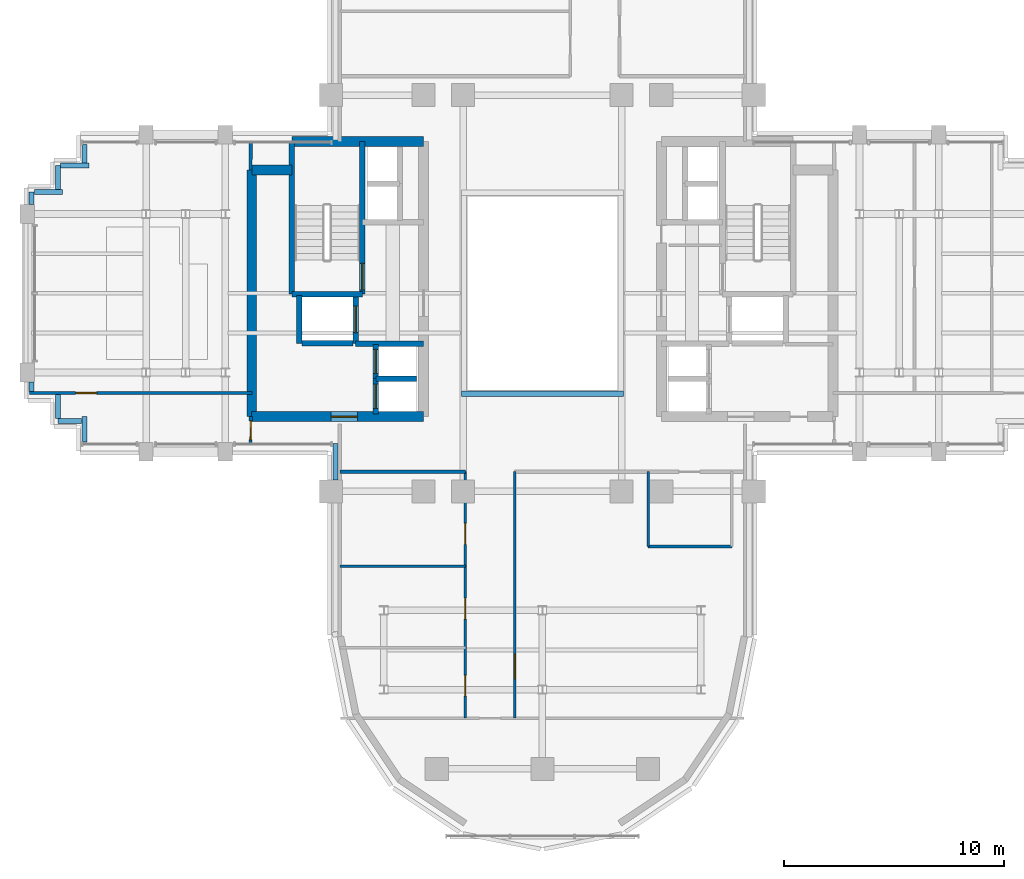
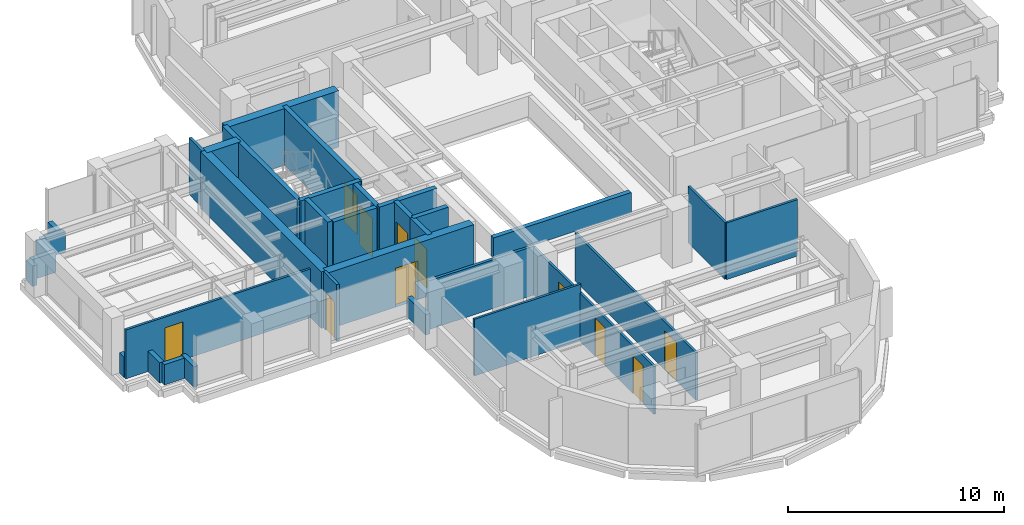
# One storey, part 8 of 13: 34 walls, 11 doors, 11 openings.
"""IFC4 building model written with IfcOpenShell, lengths in metres."""

import ifcopenshell
import ifcopenshell.guid

model = None  # the IFC model being written
_history = None  # IfcOwnerHistory: only IFC2X3 demands one
_inside = {}  # id of a spatial element -> (the spatial element, [elements in it])
_under = {}  # id of a project, library or spatial element -> (it, [spatial elements below it])
_declared = {}  # id of a project -> (the project, [libraries it declares])
_typed = {}  # id of a type object -> (the type object, [elements of that type])
_made_of = {}  # id of a material, layer set ... -> (it, [elements and type objects made of it])


def new_model(schema):
    """Start an empty IFC model of exactly this schema.

    Asked for "IFC4X3", IfcOpenShell would pick the latest addendum, in which some entities
    have other attributes; the version numbers below select the first issue.
    IFC2X3 requires an IfcOwnerHistory on every rooted entity: one is made here for all.
    """
    global model, _history
    if schema == "IFC4X3":
        model = ifcopenshell.file(schema_version=(4, 3, 0, 0))
    else:
        model = ifcopenshell.file(schema=schema)
    _inside.clear()
    _under.clear()
    _declared.clear()
    _typed.clear()
    _made_of.clear()
    _history = None
    if model.schema == "IFC2X3":
        org = make("IfcOrganization", Name="unknown")
        user = make(
            "IfcPersonAndOrganization",
            ThePerson=make("IfcPerson", FamilyName="unknown"),
            TheOrganization=org,
        )
        app = make(
            "IfcApplication",
            ApplicationDeveloper=org,
            Version="unknown",
            ApplicationFullName="unknown",
            ApplicationIdentifier="unknown",
        )
        _history = make(
            "IfcOwnerHistory",
            OwningUser=user,
            OwningApplication=app,
            ChangeAction="ADDED",
            CreationDate=0,
        )
    return model


def make(cls, **values):
    """One entity of the class cls with the attributes given. An attribute that is None is left unset."""
    return model.create_entity(
        cls, **{name: value for name, value in values.items() if value is not None}
    )


def rooted(cls, **values):
    """An entity with a GlobalId (a new one), such as an element, a storey or a relation."""
    return make(cls, GlobalId=ifcopenshell.guid.new(), OwnerHistory=_history, **values)


def si_unit(unit_type, name, prefix=None):
    """IfcSIUnit, for example si_unit("LENGTHUNIT", "METRE", prefix="MILLI")."""
    return make("IfcSIUnit", UnitType=unit_type, Prefix=prefix, Name=name)


def assignment(units):
    """IfcUnitAssignment: the units of a project."""
    return None if units is None else make("IfcUnitAssignment", Units=units)


def point(xyz):
    """IfcCartesianPoint."""
    return None if xyz is None else make("IfcCartesianPoint", Coordinates=xyz)


def direction(xyz):
    """IfcDirection."""
    return None if xyz is None else make("IfcDirection", DirectionRatios=xyz)


def frame(location, z_axis=None, x_axis=None):
    """IfcAxis2Placement3D, a coordinate frame: its origin and axes. An axis left out is left unset."""
    return make(
        "IfcAxis2Placement3D",
        Location=point(location),
        Axis=direction(z_axis),
        RefDirection=direction(x_axis),
    )


def frame_2d(location, x_axis=None):
    """IfcAxis2Placement2D, a coordinate frame in the plane: its origin and x axis."""
    return make(
        "IfcAxis2Placement2D", Location=point(location), RefDirection=direction(x_axis)
    )


def origin():
    """The frame at (0, 0, 0) with its axes left unset."""
    return frame((0.0, 0.0, 0.0))


def place(relative_to, where):
    """IfcLocalPlacement: puts the frame where relative to a parent placement (None: the world)."""
    return make(
        "IfcLocalPlacement", PlacementRelTo=relative_to, RelativePlacement=where
    )


def context(
    kind, dimensions, precision=None, world=None, true_north=None, identifier=None
):
    """IfcGeometricRepresentationContext, for example the 3D "Model" context."""
    return make(
        "IfcGeometricRepresentationContext",
        ContextIdentifier=identifier,
        ContextType=kind,
        CoordinateSpaceDimension=dimensions,
        Precision=precision,
        WorldCoordinateSystem=world,
        TrueNorth=true_north,
    )


def subcontext(parent, identifier, kind, view, scale=None):
    """IfcGeometricRepresentationSubContext, for example "Body" below "Model"."""
    return make(
        "IfcGeometricRepresentationSubContext",
        ContextIdentifier=identifier,
        ContextType=kind,
        ParentContext=parent,
        TargetScale=scale,
        TargetView=view,
    )


def project(units=None, contexts=None):
    """IfcProject with its units and contexts."""
    return rooted(
        "IfcProject",
        Name="project",
        RepresentationContexts=contexts,
        UnitsInContext=assignment(units),
    )


def spatial(cls, under=None, at=None, **own):
    """A site, building, storey or space (cls), placed at a placement, below another one or the project."""
    s = rooted(cls, ObjectPlacement=at, **own)
    if under is not None:
        _under.setdefault(under.id(), (under, []))[1].append(s)
    return s


def profile(cls, at=None, kind="AREA", **sizes):
    """A parametric profile (cls). Its sizes go by their IFC names, for example OverallWidth=200.0."""
    return make(cls, ProfileType=kind, Position=at, **sizes)


def rectangle(**sizes):
    """IfcRectangleProfileDef."""
    return profile("IfcRectangleProfileDef", **sizes)


def extrude(swept, where, along, depth):
    """IfcExtrudedAreaSolid: the profile swept, set in the frame where, extruded along a direction by depth."""
    return make(
        "IfcExtrudedAreaSolid",
        SweptArea=swept,
        Position=where,
        ExtrudedDirection=direction(along),
        Depth=depth,
    )


def shape(context_of_items, identifier, shape_type, items):
    """IfcShapeRepresentation: the items that make up one representation, for example the "Body"."""
    return make(
        "IfcShapeRepresentation",
        ContextOfItems=context_of_items,
        RepresentationIdentifier=identifier,
        RepresentationType=shape_type,
        Items=items,
    )


def source(mapping_origin, context_of_items, identifier, shape_type, items):
    """IfcRepresentationMap: a shape defined once, which mapped items show again and again."""
    return make(
        "IfcRepresentationMap",
        MappingOrigin=mapping_origin,
        MappedRepresentation=shape(context_of_items, identifier, shape_type, items),
    )


def transform(
    local_origin,
    x_axis=None,
    y_axis=None,
    z_axis=None,
    scale=None,
    scale2=None,
    scale3=None,
    uniform=True,
):
    """IfcCartesianTransformationOperator3D, or its non-uniform kind. x_axis, y_axis, z_axis: its Axis1, 2, 3."""
    if uniform:
        return make(
            "IfcCartesianTransformationOperator3D",
            Axis1=direction(x_axis),
            Axis2=direction(y_axis),
            LocalOrigin=point(local_origin),
            Scale=scale,
            Axis3=direction(z_axis),
        )
    return make(
        "IfcCartesianTransformationOperator3DnonUniform",
        Axis1=direction(x_axis),
        Axis2=direction(y_axis),
        LocalOrigin=point(local_origin),
        Scale=scale,
        Axis3=direction(z_axis),
        Scale2=scale2,
        Scale3=scale3,
    )


def mapped(mapping_source, mapping_target):
    """IfcMappedItem: shows the shape of a source again, moved by a transform."""
    return make(
        "IfcMappedItem", MappingSource=mapping_source, MappingTarget=mapping_target
    )


def material(Name=None, Category=None):
    """IfcMaterial."""
    return make("IfcMaterial", Name=Name, Category=Category)


def layer(
    of_material, thickness, ventilated=None, Name=None, Category=None, Priority=None
):
    """IfcMaterialLayer: one layer of a wall or slab, of a material (None: an air gap)."""
    return make(
        "IfcMaterialLayer",
        Material=of_material,
        LayerThickness=thickness,
        IsVentilated=ventilated,
        Name=Name,
        Category=Category,
        Priority=Priority,
    )


def layer_set(layers, Name=None):
    """IfcMaterialLayerSet."""
    return make("IfcMaterialLayerSet", MaterialLayers=layers, LayerSetName=Name)


def made_of(thing, what):
    """Note that an element or type object is made of a material, layer set ...; save() writes the relation."""
    if what is not None:
        _made_of.setdefault(what.id(), (what, []))[1].append(thing)
    return thing


def type_object(cls, material=None, **own):
    """A type object (cls), such as IfcWallType, which elements share."""
    return made_of(rooted(cls, **own), material)


def element(
    cls,
    number,
    at=None,
    inside=None,
    cuts=None,
    type_object=None,
    material=None,
    context=None,
    identifier="Body",
    shape_type=None,
    held_by="IfcProductDefinitionShape",
    body=None,
    shapes=None,
    **own,
):
    """One element of the class cls, such as IfcWall. Its Tag is "e" and its number.

    at: its placement. inside: the storey or other place that contains it. cuts: it is an
    opening in that element (IfcRelVoidsElement). A single representation is given by context,
    identifier, shape_type and body (its items); several are given by shapes. held_by: the class
    of the entity that holds the representations. save() writes the other relations.
    """
    e = rooted(cls, Tag="e%d" % number, ObjectPlacement=at, **own)
    if body is not None:
        shapes = [shape(context, identifier, shape_type, body)]
    if shapes is not None:
        e.Representation = make(held_by, Representations=shapes)
    if inside is not None:
        _inside.setdefault(inside.id(), (inside, []))[1].append(e)
    if cuts is not None:
        rooted(
            "IfcRelVoidsElement", RelatingBuildingElement=cuts, RelatedOpeningElement=e
        )
    if type_object is not None:
        _typed.setdefault(type_object.id(), (type_object, []))[1].append(e)
    return made_of(e, material)


def fill(opening, filler):
    """IfcRelFillsElement: the door or window that sits in an opening."""
    return rooted(
        "IfcRelFillsElement",
        RelatingOpeningElement=opening,
        RelatedBuildingElement=filler,
    )


def aggregate(whole, parts):
    """IfcRelAggregates: a whole, such as a stair, and the parts it consists of."""
    return rooted("IfcRelAggregates", RelatingObject=whole, RelatedObjects=parts)


def save(model, path):
    """Write the relations noted so far, then the file.

    IfcRelAggregates (storeys below a building ...), IfcRelContainedInSpatialStructure (elements
    in a storey), IfcRelDefinesByType, IfcRelAssociatesMaterial and IfcRelDeclares: one each for
    every whole, place, type object, material and project.
    """
    for whole, parts in _under.values():
        aggregate(whole, parts)
    for where, things in _inside.values():
        rooted(
            "IfcRelContainedInSpatialStructure",
            RelatedElements=things,
            RelatingStructure=where,
        )
    for kind, things in _typed.values():
        rooted("IfcRelDefinesByType", RelatedObjects=things, RelatingType=kind)
    for what, things in _made_of.values():
        rooted("IfcRelAssociatesMaterial", RelatedObjects=things, RelatingMaterial=what)
    for by, libraries in _declared.values():
        rooted("IfcRelDeclares", RelatingContext=by, RelatedDefinitions=libraries)
    model.write(path)


model = new_model("IFC4")

# Units and contexts
model_context = context("Model", 3, precision=1e-05, world=origin(), true_north=direction((0.0, 1.0)))
body_context = subcontext(model_context, "Body", "Model", "MODEL_VIEW")
ifc_project = project(units=[si_unit("LENGTHUNIT", "METRE"), si_unit("AREAUNIT", "SQUARE_METRE"), si_unit("VOLUMEUNIT", "CUBIC_METRE"), si_unit("PLANEANGLEUNIT", "RADIAN"), si_unit("MASSUNIT", "GRAM", prefix="KILO")], contexts=[model_context])

# Site, building, storey
site_placement = place(None, origin())
site = spatial("IfcSite", under=ifc_project, at=site_placement, CompositionType="ELEMENT")
building_placement = place(site_placement, origin())
building = spatial("IfcBuilding", under=site, at=building_placement, Name="Keilestroom Media Tower", CompositionType="ELEMENT")
storey_placement = place(building_placement, frame((0.0, 0.0, 131.199951171875)))
storey = spatial("IfcBuildingStorey", under=building, at=storey_placement, Name="L35", CompositionType="ELEMENT", Elevation=131.199951171875)

# Wall, openings, doors
ifc_material_1 = material(Name="Gypsum Plasterboard & Steel Stud", Category="steel")
ifc_layer_1 = layer(ifc_material_1, 0.1201171875)
ifc_layer_set_1 = layer_set([ifc_layer_1], Name="Gypsum Plasterboard & Steel Stud")
wall_type_1 = type_object("IfcWallType", Name="Interior-Partition-Wall-120", PredefinedType="PARTITIONING", material=ifc_layer_set_1)
wall_1_placement = place(storey_placement, frame((-3.5, -19.300048828125, 0.0), z_axis=(0.0, 0.0, 1.0), x_axis=(0.0, 1.0, 0.0)))
wall_1 = element("IfcWall", 1, at=wall_1_placement, inside=storey, type_object=wall_type_1, Name="L35 Interior Wall WP-L35-SL-SPW", PredefinedType="PARTITIONING", context=body_context, shape_type="SweptSolid", body=[
    extrude(rectangle(XDim=11.199951171875, YDim=0.1201171875, at=frame_2d((5.60009765625, 0.0))), origin(), (0.0, 0.0, 1.0), 2.699951171875),
])
opening_1_placement = place(wall_1_placement, frame((7.89990234375, 0.0, 0.0)))
opening_1 = element("IfcOpeningElement", 2, at=opening_1_placement, cuts=wall_1, Name="Opening DI-03", PredefinedType="OPENING", context=body_context, shape_type="SweptSolid", body=[
    extrude(rectangle(XDim=0.949951171875, YDim=2.14990234375, at=frame_2d((0.47509765625, 1.074951171875))), frame((0.0, 0.070068359375, 0.0), z_axis=(0.0, -1.0, 0.0), x_axis=(1.0, 0.0, 0.0)), (0.0, 0.0, 1.0), 0.14013671875),
])
opening_2_placement = place(wall_1_placement, frame((4.5, 0.0, 0.0)))
opening_2 = element("IfcOpeningElement", 3, at=opening_2_placement, cuts=wall_1, Name="Opening DI-03", PredefinedType="OPENING", context=body_context, shape_type="SweptSolid", body=[
    extrude(rectangle(XDim=0.949951171875, YDim=2.14990234375, at=frame_2d((0.47509765625, 1.074951171875))), frame((0.0, 0.070068359375, 0.0), z_axis=(0.0, -1.0, 0.0), x_axis=(1.0, 0.0, 0.0)), (0.0, 0.0, 1.0), 0.14013671875),
])
opening_3_placement = place(wall_1_placement, frame((1.0, 0.0, 0.0)))
opening_3 = element("IfcOpeningElement", 4, at=opening_3_placement, cuts=wall_1, Name="Opening DI-03", PredefinedType="OPENING", context=body_context, shape_type="SweptSolid", body=[
    extrude(rectangle(XDim=0.949951171875, YDim=2.14990234375, at=frame_2d((0.47509765625, 1.074951171875))), frame((0.0, 0.070068359375, 0.0), z_axis=(0.0, -1.0, 0.0), x_axis=(1.0, 0.0, 0.0)), (0.0, 0.0, 1.0), 0.14013671875),
])
ifc_material_2 = material(Name="Lacquered European Oak Leaf", Category="wood")
door_type_1 = type_object("IfcDoorType", Name="Interior-Room-And-Suite-Door-DI-03", OperationType="NOTDEFINED", PredefinedType="DOOR", material=ifc_material_2)
shared_shape_1 = source(origin(), body_context, "Body", "SweptSolid", [
    extrude(rectangle(XDim=0.949951171875, YDim=2.14990234375, at=frame_2d((0.47509765625, 1.074951171875))), frame((0.0, 0.02490234375, 0.0), z_axis=(0.0, -1.0, 0.0), x_axis=(1.0, 0.0, 0.0)), (0.0, 0.0, 1.0), 0.050048828125),
])
door_1_placement = place(opening_1_placement, origin())
door_1 = element("IfcDoor", 5, at=door_1_placement, inside=storey, type_object=door_type_1, Name="L35 Interior Door DI-L35-DSL-W1", OperationType="SINGLE_SWING_LEFT", OverallHeight=2.14990234375, OverallWidth=0.949951171875, PredefinedType="DOOR", context=body_context, shape_type="MappedRepresentation", body=[
    mapped(shared_shape_1, transform((0.0, 0.0, 0.0), x_axis=(1.0, 0.0, 0.0), y_axis=(0.0, 1.0, 0.0), z_axis=(0.0, 0.0, 1.0), scale=1.0)),
])
fill(opening_1, door_1)
door_2_placement = place(opening_2_placement, origin())
door_2 = element("IfcDoor", 6, at=door_2_placement, inside=storey, type_object=door_type_1, Name="L35 Interior Door DI-L35-DSL-W2", OperationType="SINGLE_SWING_RIGHT", OverallHeight=2.14990234375, OverallWidth=0.949951171875, PredefinedType="DOOR", context=body_context, shape_type="MappedRepresentation", body=[
    mapped(shared_shape_1, transform((0.0, 0.0, 0.0), x_axis=(1.0, 0.0, 0.0), y_axis=(0.0, 1.0, 0.0), z_axis=(0.0, 0.0, 1.0), scale=1.0)),
])
fill(opening_2, door_2)
door_3_placement = place(opening_3_placement, origin())
door_3 = element("IfcDoor", 7, at=door_3_placement, inside=storey, type_object=door_type_1, Name="L35 Interior Door DI-L35-DSL-W3", OperationType="SINGLE_SWING_LEFT", OverallHeight=2.14990234375, OverallWidth=0.949951171875, PredefinedType="DOOR", context=body_context, shape_type="MappedRepresentation", body=[
    mapped(shared_shape_1, transform((0.0, 0.0, 0.0), x_axis=(1.0, 0.0, 0.0), y_axis=(0.0, 1.0, 0.0), z_axis=(0.0, 0.0, 1.0), scale=1.0)),
])
fill(opening_3, door_3)

# Wall, opening, door
wall_2_placement = place(storey_placement, frame((-1.260009765625, -19.300048828125, 0.0), z_axis=(0.0, 0.0, 1.0), x_axis=(0.0, 1.0, 0.0)))
wall_2 = element("IfcWall", 8, at=wall_2_placement, inside=storey, type_object=wall_type_1, Name="L35 Interior Wall WP-L35-SL-SPE", PredefinedType="PARTITIONING", context=body_context, shape_type="SweptSolid", body=[
    extrude(rectangle(XDim=11.199951171875, YDim=0.1201171875, at=frame_2d((5.60009765625, 0.0))), origin(), (0.0, 0.0, 1.0), 2.699951171875),
])
opening_4_placement = place(wall_2_placement, frame((1.800048828125, 0.0, 0.0)))
opening_4 = element("IfcOpeningElement", 9, at=opening_4_placement, cuts=wall_2, Name="Opening DI-04", PredefinedType="OPENING", context=body_context, shape_type="SweptSolid", body=[
    extrude(rectangle(XDim=1.10009765625, YDim=2.199951171875, at=frame_2d((0.550048828125, 1.10009765625))), frame((0.0, 0.070068359375, 0.0), z_axis=(0.0, -1.0, 0.0), x_axis=(1.0, 0.0, 0.0)), (0.0, 0.0, 1.0), 0.14013671875),
])
ifc_material_3 = material(Name="Acoustic Glazed Aluminium Leaf", Category="aluminium")
door_type_2 = type_object("IfcDoorType", Name="Interior-Room-And-Suite-Door-DI-04", OperationType="NOTDEFINED", PredefinedType="DOOR", material=ifc_material_3)
shared_shape_2 = source(origin(), body_context, "Body", "SweptSolid", [
    extrude(rectangle(XDim=1.10009765625, YDim=2.199951171875, at=frame_2d((0.550048828125, 1.10009765625))), frame((0.0, 0.02490234375, 0.0), z_axis=(0.0, -1.0, 0.0), x_axis=(1.0, 0.0, 0.0)), (0.0, 0.0, 1.0), 0.050048828125),
])
door_4_placement = place(opening_4_placement, origin())
door_4 = element("IfcDoor", 10, at=door_4_placement, inside=storey, type_object=door_type_2, Name="L35 Interior Door DI-L35-DSL-E1", OperationType="SINGLE_SWING_RIGHT", OverallHeight=2.199951171875, OverallWidth=1.10009765625, PredefinedType="DOOR", context=body_context, shape_type="MappedRepresentation", body=[
    mapped(shared_shape_2, transform((0.0, 0.0, 0.0), x_axis=(1.0, 0.0, 0.0), y_axis=(0.0, 1.0, 0.0), z_axis=(0.0, 0.0, 1.0), scale=1.0)),
])
fill(opening_4, door_4)

# Walls
wall_3_placement = place(storey_placement, frame((4.800048828125, -11.5, 0.0), z_axis=(0.0, 0.0, 1.0), x_axis=(1.0, 0.0, 0.0)))
element("IfcWall", 11, at=wall_3_placement, inside=storey, type_object=wall_type_1, Name="L35 Interior Wall WP-L35-SL-WC-S", PredefinedType="PARTITIONING", context=body_context, shape_type="SweptSolid", body=[
    extrude(rectangle(XDim=3.800048828125, YDim=0.1201171875, at=frame_2d((1.89990234375, 0.0))), origin(), (0.0, 0.0, 1.0), 3.199951171875),
])
wall_4_placement = place(storey_placement, frame((4.800048828125, -11.5, 0.0), z_axis=(0.0, 0.0, 1.0), x_axis=(0.0, 1.0, 0.0)))
element("IfcWall", 12, at=wall_4_placement, inside=storey, type_object=wall_type_1, Name="L35 Interior Wall WP-L35-SL-WC-W", PredefinedType="PARTITIONING", context=body_context, shape_type="SweptSolid", body=[
    extrude(rectangle(XDim=3.39990234375, YDim=0.1201171875, at=frame_2d((1.699951171875, 0.0))), origin(), (0.0, 0.0, 1.0), 3.199951171875),
])
wall_5_placement = place(storey_placement, frame((-9.199951171875, -12.39990234375, 0.0), z_axis=(0.0, 0.0, 1.0), x_axis=(1.0, 0.0, 0.0)))
element("IfcWall", 13, at=wall_5_placement, inside=storey, type_object=wall_type_1, Name="L35 Interior Wall WP-L35-SL-HW2", PredefinedType="PARTITIONING", context=body_context, shape_type="SweptSolid", body=[
    extrude(rectangle(XDim=5.699951171875, YDim=0.1201171875, at=frame_2d((2.85009765625, 0.0))), origin(), (0.0, 0.0, 1.0), 3.199951171875),
])

# Wall, opening, door
wall_6_placement = place(storey_placement, frame((-23.300048828125, -4.530029296875, 0.0), z_axis=(0.0, 0.0, 1.0), x_axis=(1.0, 0.0, 0.0)))
wall_6 = element("IfcWall", 14, at=wall_6_placement, inside=storey, type_object=wall_type_1, Name="L35 Interior Wall WP-L35-WA-CN", PredefinedType="PARTITIONING", context=body_context, shape_type="SweptSolid", body=[
    extrude(rectangle(XDim=10.10009765625, YDim=0.1201171875, at=frame_2d((5.050048828125, 0.0))), origin(), (0.0, 0.0, 1.0), 2.760009765625),
])
opening_5_placement = place(wall_6_placement, frame((2.10009765625, 0.0, 0.0)))
opening_5 = element("IfcOpeningElement", 15, at=opening_5_placement, cuts=wall_6, Name="Opening DI-03", PredefinedType="OPENING", context=body_context, shape_type="SweptSolid", body=[
    extrude(rectangle(XDim=0.949951171875, YDim=2.14990234375, at=frame_2d((0.47509765625, 1.074951171875))), frame((0.0, 0.070068359375, 0.0), z_axis=(0.0, -1.0, 0.0), x_axis=(1.0, 0.0, 0.0)), (0.0, 0.0, 1.0), 0.14013671875),
])
door_5_placement = place(opening_5_placement, origin())
door_5 = element("IfcDoor", 16, at=door_5_placement, inside=storey, type_object=door_type_1, Name="L35 Interior Door DI-L35-DWA-RN", OperationType="SINGLE_SWING_RIGHT", OverallHeight=2.14990234375, OverallWidth=0.949951171875, PredefinedType="DOOR", context=body_context, shape_type="MappedRepresentation", body=[
    mapped(shared_shape_1, transform((0.0, 0.0, 0.0), x_axis=(1.0, 0.0, 0.0), y_axis=(0.0, 1.0, 0.0), z_axis=(0.0, 0.0, 1.0), scale=1.0)),
])
fill(opening_5, door_5)

# Walls
ifc_layer_2 = layer(ifc_material_1, 0.14990234375)
ifc_layer_set_2 = layer_set([ifc_layer_2], Name="Gypsum Plasterboard & Steel Stud")
wall_type_2 = type_object("IfcWallType", Name="Interior-Partition-Wall-150", PredefinedType="PARTITIONING", material=ifc_layer_set_2)
wall_7_placement = place(storey_placement, frame((-9.199951171875, -8.10009765625, 0.0), z_axis=(0.0, 0.0, 1.0), x_axis=(1.0, 0.0, 0.0)))
element("IfcWall", 17, at=wall_7_placement, inside=storey, type_object=wall_type_2, Name="L35 Interior Wall WP-L35-SL-BASE-W", PredefinedType="PARTITIONING", context=body_context, shape_type="SweptSolid", body=[
    extrude(rectangle(XDim=5.699951171875, YDim=0.14990234375, at=frame_2d((2.85009765625, 0.0))), origin(), (0.0, 0.0, 1.0), 2.760009765625),
])
wall_8_placement = place(storey_placement, frame((-13.260009765625, 5.60009765625, 0.0), z_axis=(0.0, 0.0, 1.0), x_axis=(0.016013571389, 0.999871774545, 0.0)))
element("IfcWall", 18, at=wall_8_placement, inside=storey, type_object=wall_type_2, Name="L35 Interior Wall WP-L35-WA-ENTN", PredefinedType="PARTITIONING", context=body_context, shape_type="SweptSolid", body=[
    extrude(rectangle(XDim=1.250244140625, YDim=0.14990234375, at=frame_2d((0.625, 0.0))), origin(), (0.0, 0.0, 1.0), 3.199951171875),
])

# Wall, opening, door
wall_9_placement = place(storey_placement, frame((-13.260009765625, -6.85009765625, 0.0), z_axis=(0.0, 0.0, 1.0), x_axis=(0.016013571389, 0.999871774545, 0.0)))
wall_9 = element("IfcWall", 19, at=wall_9_placement, inside=storey, type_object=wall_type_2, Name="L35 Interior Wall WP-L35-WA-ENTS", PredefinedType="PARTITIONING", context=body_context, shape_type="SweptSolid", body=[
    extrude(rectangle(XDim=1.250244140625, YDim=0.14990234375, at=frame_2d((0.625, 0.0))), origin(), (0.0, 0.0, 1.0), 3.199951171875),
])
opening_6_placement = place(wall_9_placement, frame((0.199951171875, 0.0, 0.0)))
opening_6 = element("IfcOpeningElement", 20, at=opening_6_placement, cuts=wall_9, Name="Opening DI-05", PredefinedType="OPENING", context=body_context, shape_type="SweptSolid", body=[
    extrude(rectangle(XDim=0.85009765625, YDim=2.10009765625, at=frame_2d((0.425048828125, 1.050048828125))), frame((0.0, 0.0849609375, 0.0), z_axis=(0.0, -1.0, 0.0), x_axis=(1.0, 0.0, 0.0)), (0.0, 0.0, 1.0), 0.169921875),
])
ifc_material_4 = material(Name="Moisture-Resistant Oak Leaf", Category="wood")
door_type_3 = type_object("IfcDoorType", Name="Interior-En-Suite-And-Cupboard-Door-DI-05", OperationType="NOTDEFINED", PredefinedType="DOOR", material=ifc_material_4)
shared_shape_3 = source(origin(), body_context, "Body", "SweptSolid", [
    extrude(rectangle(XDim=0.85009765625, YDim=2.10009765625, at=frame_2d((0.425048828125, 1.050048828125))), frame((0.0, 0.02490234375, 0.0), z_axis=(0.0, -1.0, 0.0), x_axis=(1.0, 0.0, 0.0)), (0.0, 0.0, 1.0), 0.050048828125),
])
door_6_placement = place(opening_6_placement, origin())
door_6 = element("IfcDoor", 21, at=door_6_placement, inside=storey, type_object=door_type_3, Name="L35 Interior Door DI-L35-DWA-ENTS", OperationType="SINGLE_SWING_RIGHT", OverallHeight=2.10009765625, OverallWidth=0.85009765625, PredefinedType="DOOR", context=body_context, shape_type="MappedRepresentation", body=[
    mapped(shared_shape_3, transform((0.0, 0.0, 0.0), x_axis=(1.0, 0.0, 0.0), y_axis=(0.0, 1.0, 0.0), z_axis=(0.0, 0.0, 1.0), scale=1.0)),
])
fill(opening_6, door_6)

# Walls
ifc_material_5 = material(Name="Concrete C55/67", Category="concrete")
ifc_layer_3 = layer(ifc_material_5, 0.449951171875)
ifc_layer_set_3 = layer_set([ifc_layer_3], Name="Concrete C55/67")
wall_type_3 = type_object("IfcWallType", Name="Reinforced-Concrete-Core-Shear-Wall-450", PredefinedType="SHEAR", material=ifc_layer_set_3)
wall_10_placement = place(storey_placement, frame((-13.199951171875, -5.60009765625, 0.0), z_axis=(0.0, 0.0, 1.0), x_axis=(0.0, 1.0, 0.0)))
element("IfcWall", 22, at=wall_10_placement, inside=storey, type_object=wall_type_3, Name="L35 Core Shear Wall WL-L35-CORE-W-OUT", PredefinedType="SHEAR", context=body_context, shape_type="SweptSolid", body=[
    extrude(rectangle(XDim=11.2001953125, YDim=0.449951171875, at=frame_2d((5.60009765625, 0.0))), origin(), (0.0, 0.0, 1.0), 3.199951171875),
])
wall_11_placement = place(storey_placement, frame((-11.381103515625, 6.89990234375, 0.0), z_axis=(0.0, 0.0, 1.0), x_axis=(1.0, 0.0, 0.0)))
element("IfcWall", 23, at=wall_11_placement, inside=storey, type_object=wall_type_3, Name="L35 Core Shear Wall WL-L35-CORE-W-N", PredefinedType="SHEAR", context=body_context, shape_type="SweptSolid", body=[
    extrude(rectangle(XDim=5.981201171875, YDim=0.449951171875, at=frame_2d((2.99072265625, 0.0))), origin(), (0.0, 0.0, 1.0), 3.199951171875),
])
wall_12_placement = place(storey_placement, frame((-13.199951171875, 5.60009765625, 0.0), z_axis=(0.0, 0.0, 1.0), x_axis=(1.0, 0.0, 0.0)))
element("IfcWall", 24, at=wall_12_placement, inside=storey, type_object=wall_type_3, Name="L35 Core Shear Wall WL-L35-CNW-N", PredefinedType="SHEAR", context=body_context, shape_type="SweptSolid", body=[
    extrude(rectangle(XDim=1.81884765625, YDim=0.449951171875, at=frame_2d((0.909423828125, 0.0))), origin(), (0.0, 0.0, 1.0), 3.199951171875),
])

# Wall, opening, door
wall_13_placement = place(storey_placement, frame((-13.199951171875, -5.60009765625, 0.0), z_axis=(0.0, 0.0, 1.0), x_axis=(1.0, 0.0, 0.0)))
wall_13 = element("IfcWall", 25, at=wall_13_placement, inside=storey, type_object=wall_type_3, Name="L35 Core Shear Wall WL-L35-CORE-W-S", PredefinedType="SHEAR", context=body_context, shape_type="SweptSolid", body=[
    extrude(rectangle(XDim=7.800048828125, YDim=0.449951171875, at=frame_2d((3.89990234375, 0.0))), origin(), (0.0, 0.0, 1.0), 3.199951171875),
])
opening_7_placement = place(wall_13_placement, frame((3.60009765625, 0.0, 0.0)))
opening_7 = element("IfcOpeningElement", 26, at=opening_7_placement, cuts=wall_13, Name="Opening DI-02", PredefinedType="OPENING", context=body_context, shape_type="SweptSolid", body=[
    extrude(rectangle(XDim=1.199951171875, YDim=2.199951171875, at=frame_2d((0.60009765625, 1.10009765625))), frame((0.0, 0.23486328125, 0.0), z_axis=(0.0, -1.0, 0.0), x_axis=(1.0, 0.0, 0.0)), (0.0, 0.0, 1.0), 0.469970703125),
])
ifc_material_6 = material(Name="Powder-Coated Steel Fire Leaf", Category="steel")
door_type_4 = type_object("IfcDoorType", Name="Interior-Compartment-Fire-Door-DI-02", OperationType="NOTDEFINED", PredefinedType="DOOR", material=ifc_material_6)
shared_shape_4 = source(origin(), body_context, "Body", "SweptSolid", [
    extrude(rectangle(XDim=1.199951171875, YDim=2.199951171875, at=frame_2d((0.60009765625, 1.10009765625))), frame((0.0, 0.02490234375, 0.0), z_axis=(0.0, -1.0, 0.0), x_axis=(1.0, 0.0, 0.0)), (0.0, 0.0, 1.0), 0.050048828125),
])
door_7_placement = place(opening_7_placement, origin())
door_7 = element("IfcDoor", 27, at=door_7_placement, inside=storey, type_object=door_type_4, Name="L35 W Passenger Lift Lobby Door", OperationType="SINGLE_SWING_LEFT", OverallHeight=2.199951171875, OverallWidth=1.199951171875, PredefinedType="DOOR", context=body_context, shape_type="MappedRepresentation", body=[
    mapped(shared_shape_4, transform((0.0, 0.0, 0.0), x_axis=(1.0, 0.0, 0.0), y_axis=(0.0, 1.0, 0.0), z_axis=(0.0, 0.0, 1.0), scale=1.0)),
])
fill(opening_7, door_7)

# Wall
ifc_material_7 = material(Name="Concrete C50/60", Category="concrete")
ifc_layer_4 = layer(ifc_material_7, 0.25)
ifc_layer_set_4 = layer_set([ifc_layer_4], Name="Concrete C50/60")
wall_type_4 = type_object("IfcWallType", Name="Reinforced-Concrete-Shaft-Wall-250", PredefinedType="SOLIDWALL", material=ifc_layer_set_4)
wall_14_placement = place(storey_placement, frame((-8.47998046875, -2.300048828125, 0.0), z_axis=(0.0, 0.0, 1.0), x_axis=(1.0, 0.0, 0.0)))
element("IfcWall", 28, at=wall_14_placement, inside=storey, type_object=wall_type_4, Name="L35 Core Shear Wall WL-L35-CORE-W-FFS", PredefinedType="SOLIDWALL", context=body_context, shape_type="SweptSolid", body=[
    extrude(rectangle(XDim=3.080078125, YDim=0.25, at=frame_2d((1.5400390625, 0.0))), origin(), (0.0, 0.0, 1.0), 3.199951171875),
])

# Wall, opening, door
wall_15_placement = place(storey_placement, frame((-8.178955078125, -0.041015625, 0.0), z_axis=(0.0, 0.0, 1.0), x_axis=(0.0, 1.0, 0.0)))
wall_15 = element("IfcWall", 29, at=wall_15_placement, inside=storey, type_object=wall_type_4, Name="L35 Core Shear Wall WL-L35-STW-W-NEAR", PredefinedType="SOLIDWALL", context=body_context, shape_type="SweptSolid", body=[
    extrude(rectangle(XDim=6.94091796875, YDim=0.25, at=frame_2d((3.470458984375, 0.0))), origin(), (0.0, 0.0, 1.0), 3.199951171875),
])
opening_8_placement = place(wall_15_placement, frame((0.199951171875, 0.0, 0.0)))
opening_8 = element("IfcOpeningElement", 30, at=opening_8_placement, cuts=wall_15, Name="Opening DI-01S", PredefinedType="OPENING", context=body_context, shape_type="SweptSolid", body=[
    extrude(rectangle(XDim=1.199951171875, YDim=2.199951171875, at=frame_2d((0.60009765625, 1.10009765625))), frame((0.0, 0.135009765625, 0.0), z_axis=(0.0, -1.0, 0.0), x_axis=(1.0, 0.0, 0.0)), (0.0, 0.0, 1.0), 0.27001953125),
])
door_type_5 = type_object("IfcDoorType", Name="Interior-Stair-And-Core-Fire-Door-DI-01", OperationType="NOTDEFINED", PredefinedType="DOOR", material=ifc_material_6)
door_8_placement = place(opening_8_placement, origin())
door_8 = element("IfcDoor", 31, at=door_8_placement, inside=storey, type_object=door_type_5, Name="L35 Escape Stair ST-1 Fire Door", OperationType="SINGLE_SWING_LEFT", OverallHeight=2.199951171875, OverallWidth=1.199951171875, PredefinedType="DOOR", context=body_context, shape_type="MappedRepresentation", body=[
    mapped(shared_shape_4, transform((0.0, 0.0, 0.0), x_axis=(1.0, 0.0, 0.0), y_axis=(0.0, 1.0, 0.0), z_axis=(0.0, 0.0, 1.0), scale=1.0)),
])
fill(opening_8, door_8)

# Walls
wall_16_placement = place(storey_placement, frame((-11.381103515625, -0.041015625, 0.0), z_axis=(0.0, 0.0, 1.0), x_axis=(0.0, 1.0, 0.0)))
element("IfcWall", 32, at=wall_16_placement, inside=storey, type_object=wall_type_4, Name="L35 Core Shear Wall WL-L35-STW-W-FAR", PredefinedType="SOLIDWALL", context=body_context, shape_type="SweptSolid", body=[
    extrude(rectangle(XDim=6.94091796875, YDim=0.25, at=frame_2d((3.470458984375, 0.0))), origin(), (0.0, 0.0, 1.0), 3.199951171875),
])
wall_17_placement = place(storey_placement, frame((-11.381103515625, -0.041015625, 0.0), z_axis=(0.0, 0.0, 1.0), x_axis=(1.0, 0.0, 0.0)))
element("IfcWall", 33, at=wall_17_placement, inside=storey, type_object=wall_type_4, Name="L35 Core Shear Wall WL-L35-STW-W-S", PredefinedType="SOLIDWALL", context=body_context, shape_type="SweptSolid", body=[
    extrude(rectangle(XDim=3.2021484375, YDim=0.25, at=frame_2d((1.60107421875, 0.0))), origin(), (0.0, 0.0, 1.0), 3.199951171875),
])
wall_18_placement = place(storey_placement, frame((-11.050048828125, -2.280029296875, 0.0), z_axis=(0.0, 0.0, 1.0), x_axis=(0.0, 1.0, 0.0)))
element("IfcWall", 34, at=wall_18_placement, inside=storey, type_object=wall_type_4, Name="L35 Core Shear Wall WL-L35-LSH-FFL-1-W", PredefinedType="SOLIDWALL", context=body_context, shape_type="SweptSolid", body=[
    extrude(rectangle(XDim=2.179931640625, YDim=0.25, at=frame_2d((1.08984375, 0.0))), origin(), (0.0, 0.0, 1.0), 3.199951171875),
])

# Wall, opening, door
wall_19_placement = place(storey_placement, frame((-8.47998046875, -2.280029296875, 0.0), z_axis=(0.0, 0.0, 1.0), x_axis=(0.0, 1.0, 0.0)))
wall_19 = element("IfcWall", 35, at=wall_19_placement, inside=storey, type_object=wall_type_4, Name="L35 Core Shear Wall WL-L35-LSH-FFL-1-E", PredefinedType="SOLIDWALL", context=body_context, shape_type="SweptSolid", body=[
    extrude(rectangle(XDim=2.179931640625, YDim=0.25, at=frame_2d((1.08984375, 0.0))), origin(), (0.0, 0.0, 1.0), 3.199951171875),
])
opening_9_placement = place(wall_19_placement, frame((0.489990234375, 0.0, 0.0)))
opening_9 = element("IfcOpeningElement", 36, at=opening_9_placement, cuts=wall_19, Name="Opening LD-02", PredefinedType="OPENING", context=body_context, shape_type="SweptSolid", body=[
    extrude(rectangle(XDim=1.199951171875, YDim=2.199951171875, at=frame_2d((0.60009765625, 1.10009765625))), frame((0.0, 0.135009765625, 0.0), z_axis=(0.0, -1.0, 0.0), x_axis=(1.0, 0.0, 0.0)), (0.0, 0.0, 1.0), 0.27001953125),
])
ifc_material_8 = material(Name="Brushed Stainless Steel Sliding Leaf", Category="steel")
door_type_6 = type_object("IfcDoorType", Name="Lift-Landing-Sliding-Door-LD-02", OperationType="SLIDING_TO_RIGHT", PredefinedType="DOOR", material=ifc_material_8)
door_9_placement = place(opening_9_placement, origin())
door_9 = element("IfcDoor", 37, at=door_9_placement, inside=storey, type_object=door_type_6, Name="L35 Lift FFL-1 Landing Sliding Door", OperationType="SLIDING_TO_RIGHT", OverallHeight=2.199951171875, OverallWidth=1.199951171875, PredefinedType="DOOR", context=body_context, shape_type="MappedRepresentation", body=[
    mapped(shared_shape_4, transform((0.0, 0.0, 0.0), x_axis=(1.0, 0.0, 0.0), y_axis=(0.0, 1.0, 0.0), z_axis=(0.0, 0.0, 1.0), scale=1.0)),
])
fill(opening_9, door_9)

# Wall
wall_20_placement = place(storey_placement, frame((-10.9208984375, -2.280029296875, 0.0), z_axis=(0.0, 0.0, 1.0), x_axis=(1.0, 0.0, 0.0)))
element("IfcWall", 38, at=wall_20_placement, inside=storey, type_object=wall_type_4, Name="L35 Core Shear Wall WL-L35-LSH-FFL-1-S", PredefinedType="SOLIDWALL", context=body_context, shape_type="SweptSolid", body=[
    extrude(rectangle(XDim=2.31201171875, YDim=0.25, at=frame_2d((1.156005859375, 0.0))), origin(), (0.0, 0.0, 1.0), 3.199951171875),
])

# Wall, opening, door
wall_21_placement = place(storey_placement, frame((-7.56005859375, -5.47998046875, 0.0), z_axis=(0.0, 0.0, 1.0), x_axis=(0.0, 1.0, 0.0)))
wall_21 = element("IfcWall", 39, at=wall_21_placement, inside=storey, type_object=wall_type_4, Name="L35 Core Shear Wall WL-L35-LSH-PL-M1-W", PredefinedType="SOLIDWALL", context=body_context, shape_type="SweptSolid", body=[
    extrude(rectangle(XDim=1.60009765625, YDim=0.25, at=frame_2d((0.800048828125, 0.0))), origin(), (0.0, 0.0, 1.0), 3.199951171875),
])
opening_10_placement = place(wall_21_placement, frame((0.25, 0.0, 0.0)))
opening_10 = element("IfcOpeningElement", 40, at=opening_10_placement, cuts=wall_21, Name="Opening LD-01", PredefinedType="OPENING", context=body_context, shape_type="SweptSolid", body=[
    extrude(rectangle(XDim=1.10009765625, YDim=2.199951171875, at=frame_2d((0.550048828125, 1.10009765625))), frame((0.0, 0.135009765625, 0.0), z_axis=(0.0, -1.0, 0.0), x_axis=(1.0, 0.0, 0.0)), (0.0, 0.0, 1.0), 0.27001953125),
])
door_type_7 = type_object("IfcDoorType", Name="Lift-Landing-Sliding-Door-LD-01", OperationType="SLIDING_TO_LEFT", PredefinedType="DOOR", material=ifc_material_8)
door_10_placement = place(opening_10_placement, origin())
door_10 = element("IfcDoor", 41, at=door_10_placement, inside=storey, type_object=door_type_7, Name="L35 Lift PL-M1 Landing Sliding Door", OperationType="SLIDING_TO_LEFT", OverallHeight=2.199951171875, OverallWidth=1.10009765625, PredefinedType="DOOR", context=body_context, shape_type="MappedRepresentation", body=[
    mapped(shared_shape_2, transform((0.0, 0.0, 0.0), x_axis=(1.0, 0.0, 0.0), y_axis=(0.0, 1.0, 0.0), z_axis=(0.0, 0.0, 1.0), scale=1.0)),
])
fill(opening_10, door_10)

# Wall
wall_22_placement = place(storey_placement, frame((-7.56005859375, -3.8798828125, 0.0), z_axis=(0.0, 0.0, 1.0), x_axis=(1.0, 0.0, 0.0)))
element("IfcWall", 42, at=wall_22_placement, inside=storey, type_object=wall_type_4, Name="L35 Core Shear Wall WL-L35-LSH-PL-M1-N", PredefinedType="SOLIDWALL", context=body_context, shape_type="SweptSolid", body=[
    extrude(rectangle(XDim=1.840087890625, YDim=0.25, at=frame_2d((0.919921875, 0.0))), origin(), (0.0, 0.0, 1.0), 3.199951171875),
])

# Wall, opening, door
wall_23_placement = place(storey_placement, frame((-7.56005859375, -3.8798828125, 0.0), z_axis=(0.0, 0.0, 1.0), x_axis=(0.0, 1.0, 0.0)))
wall_23 = element("IfcWall", 43, at=wall_23_placement, inside=storey, type_object=wall_type_4, Name="L35 Core Shear Wall WL-L35-LSH-PL-M2-W", PredefinedType="SOLIDWALL", context=body_context, shape_type="SweptSolid", body=[
    extrude(rectangle(XDim=1.559814453125, YDim=0.25, at=frame_2d((0.77978515625, 0.0))), origin(), (0.0, 0.0, 1.0), 3.199951171875),
])
opening_11_placement = place(wall_23_placement, frame((0.22998046875, 0.0, 0.0)))
opening_11 = element("IfcOpeningElement", 44, at=opening_11_placement, cuts=wall_23, Name="Opening LD-01", PredefinedType="OPENING", context=body_context, shape_type="SweptSolid", body=[
    extrude(rectangle(XDim=1.10009765625, YDim=2.199951171875, at=frame_2d((0.550048828125, 1.10009765625))), frame((0.0, 0.135009765625, 0.0), z_axis=(0.0, -1.0, 0.0), x_axis=(1.0, 0.0, 0.0)), (0.0, 0.0, 1.0), 0.27001953125),
])
door_11_placement = place(opening_11_placement, origin())
door_11 = element("IfcDoor", 45, at=door_11_placement, inside=storey, type_object=door_type_7, Name="L35 Lift PL-M2 Landing Sliding Door", OperationType="SLIDING_TO_LEFT", OverallHeight=2.199951171875, OverallWidth=1.10009765625, PredefinedType="DOOR", context=body_context, shape_type="MappedRepresentation", body=[
    mapped(shared_shape_2, transform((0.0, 0.0, 0.0), x_axis=(1.0, 0.0, 0.0), y_axis=(0.0, 1.0, 0.0), z_axis=(0.0, 0.0, 1.0), scale=1.0)),
])
fill(opening_11, door_11)

# Walls
ifc_material_9 = material(Name="Precast concrete C40/50", Category="concrete")
ifc_layer_5 = layer(ifc_material_9, 0.239990234375)
ifc_layer_set_5 = layer_set([ifc_layer_5], Name="Precast concrete C40/50")
wall_type_5 = type_object("IfcWallType", Name="Roof-And-Terrace-Parapet-Wall-240", PredefinedType="PARAPET", material=ifc_layer_set_5)
wall_24_placement = place(storey_placement, frame((-9.39990234375, -8.471923828125, 0.0), z_axis=(0.0, 0.0, 1.0), x_axis=(0.0, 1.0, 0.0)))
element("IfcWall", 46, at=wall_24_placement, inside=storey, type_object=wall_type_5, Name="L35 Perimeter Edge Parapet Wall 09", PredefinedType="PARAPET", context=body_context, shape_type="SweptSolid", body=[
    extrude(rectangle(XDim=1.653076171875, YDim=0.239990234375, at=frame_2d((0.82666015625, 0.0))), origin(), (0.0, 0.0, 1.0), 1.150146484375),
])
wall_25_placement = place(storey_placement, frame((-20.800048828125, -6.757080078125, 0.0), z_axis=(0.0, 0.0, 1.0), x_axis=(0.0, 1.0, 0.0)))
element("IfcWall", 47, at=wall_25_placement, inside=storey, type_object=wall_type_5, Name="L35 Perimeter Edge Parapet Wall 10", PredefinedType="PARAPET", context=body_context, shape_type="SweptSolid", body=[
    extrude(rectangle(XDim=1.156982421875, YDim=0.239990234375, at=frame_2d((0.57861328125, 0.0))), origin(), (0.0, 0.0, 1.0), 1.150146484375),
])
wall_26_placement = place(storey_placement, frame((-20.923095703125, -5.800048828125, 0.0), z_axis=(0.0, 0.0, 1.0), x_axis=(-1.0, 0.0, 0.0)))
element("IfcWall", 48, at=wall_26_placement, inside=storey, type_object=wall_type_5, Name="L35 Perimeter Edge Parapet Wall 11", PredefinedType="PARAPET", context=body_context, shape_type="SweptSolid", body=[
    extrude(rectangle(XDim=1.076904296875, YDim=0.239990234375, at=frame_2d((0.53857421875, 0.0))), origin(), (0.0, 0.0, 1.0), 1.150146484375),
])
wall_27_placement = place(storey_placement, frame((-22.0, -5.677001953125, 0.0), z_axis=(0.0, 0.0, 1.0), x_axis=(0.0, 1.0, 0.0)))
element("IfcWall", 49, at=wall_27_placement, inside=storey, type_object=wall_type_5, Name="L35 Perimeter Edge Parapet Wall 12", PredefinedType="PARAPET", context=body_context, shape_type="SweptSolid", body=[
    extrude(rectangle(XDim=1.083984375, YDim=0.239990234375, at=frame_2d((0.5419921875, 0.0))), origin(), (0.0, 0.0, 1.0), 1.150146484375),
])
wall_28_placement = place(storey_placement, frame((-23.199951171875, -4.467041015625, 0.0), z_axis=(0.0, 0.0, 1.0), x_axis=(0.0, 1.0, 0.0)))
element("IfcWall", 50, at=wall_28_placement, inside=storey, type_object=wall_type_5, Name="L35 Perimeter Edge Parapet Wall 13", PredefinedType="PARAPET", context=body_context, shape_type="SweptSolid", body=[
    extrude(rectangle(XDim=0.43896484375, YDim=0.239990234375, at=frame_2d((0.219482421875, 0.0))), origin(), (0.0, 0.0, 1.0), 1.150146484375),
])
wall_29_placement = place(storey_placement, frame((-23.199951171875, 4.028076171875, 0.0), z_axis=(0.0, 0.0, 1.0), x_axis=(0.0, 1.0, 0.0)))
element("IfcWall", 51, at=wall_29_placement, inside=storey, type_object=wall_type_5, Name="L35 Perimeter Edge Parapet Wall 14", PredefinedType="PARAPET", context=body_context, shape_type="SweptSolid", body=[
    extrude(rectangle(XDim=0.572021484375, YDim=0.239990234375, at=frame_2d((0.2861328125, 0.0))), origin(), (0.0, 0.0, 1.0), 1.150146484375),
])
wall_30_placement = place(storey_placement, frame((-23.076904296875, 4.60009765625, 0.0), z_axis=(0.0, 0.0, 1.0), x_axis=(1.0, 0.0, 0.0)))
element("IfcWall", 52, at=wall_30_placement, inside=storey, type_object=wall_type_5, Name="L35 Perimeter Edge Parapet Wall 15", PredefinedType="PARAPET", context=body_context, shape_type="SweptSolid", body=[
    extrude(rectangle(XDim=1.27685546875, YDim=0.239990234375, at=frame_2d((0.638427734375, 0.0))), origin(), (0.0, 0.0, 1.0), 1.150146484375),
])
wall_31_placement = place(storey_placement, frame((-22.0, 4.722900390625, 0.0), z_axis=(0.0, 0.0, 1.0), x_axis=(0.0, 1.0, 0.0)))
element("IfcWall", 53, at=wall_31_placement, inside=storey, type_object=wall_type_5, Name="L35 Perimeter Edge Parapet Wall 16", PredefinedType="PARAPET", context=body_context, shape_type="SweptSolid", body=[
    extrude(rectangle(XDim=1.0771484375, YDim=0.239990234375, at=frame_2d((0.53857421875, 0.0))), origin(), (0.0, 0.0, 1.0), 1.150146484375),
])
wall_32_placement = place(storey_placement, frame((-21.876953125, 5.800048828125, 0.0), z_axis=(0.0, 0.0, 1.0), x_axis=(1.0, 0.0, 0.0)))
element("IfcWall", 54, at=wall_32_placement, inside=storey, type_object=wall_type_5, Name="L35 Perimeter Edge Parapet Wall 17", PredefinedType="PARAPET", context=body_context, shape_type="SweptSolid", body=[
    extrude(rectangle(XDim=1.27685546875, YDim=0.239990234375, at=frame_2d((0.638427734375, 0.0))), origin(), (0.0, 0.0, 1.0), 1.150146484375),
])
wall_33_placement = place(storey_placement, frame((-20.800048828125, 5.923095703125, 0.0), z_axis=(0.0, 0.0, 1.0), x_axis=(0.0, 1.0, 0.0)))
element("IfcWall", 55, at=wall_33_placement, inside=storey, type_object=wall_type_5, Name="L35 Perimeter Edge Parapet Wall 18", PredefinedType="PARAPET", context=body_context, shape_type="SweptSolid", body=[
    extrude(rectangle(XDim=0.833984375, YDim=0.239990234375, at=frame_2d((0.4169921875, 0.0))), origin(), (0.0, 0.0, 1.0), 1.150146484375),
])
wall_34_placement = place(storey_placement, frame((-3.679931640625, -4.56005859375, 0.0), z_axis=(0.0, 0.0, 1.0), x_axis=(1.0, 0.0, 0.0)))
element("IfcWall", 56, at=wall_34_placement, inside=storey, type_object=wall_type_5, Name="L35 Central Atrium Guard Parapet S", PredefinedType="PARAPET", context=body_context, shape_type="SweptSolid", body=[
    extrude(rectangle(XDim=7.35986328125, YDim=0.239990234375, at=frame_2d((3.679931640625, 0.0))), origin(), (0.0, 0.0, 1.0), 1.150146484375),
])

save(model, "model.ifc")
